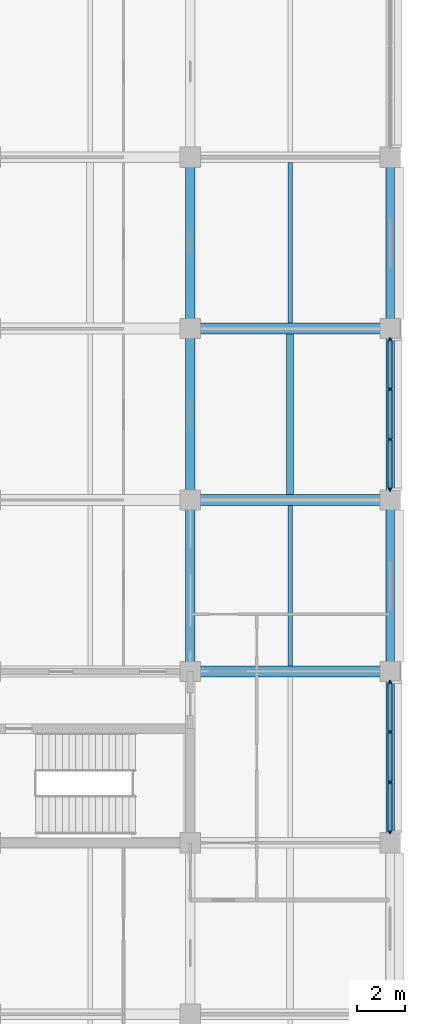
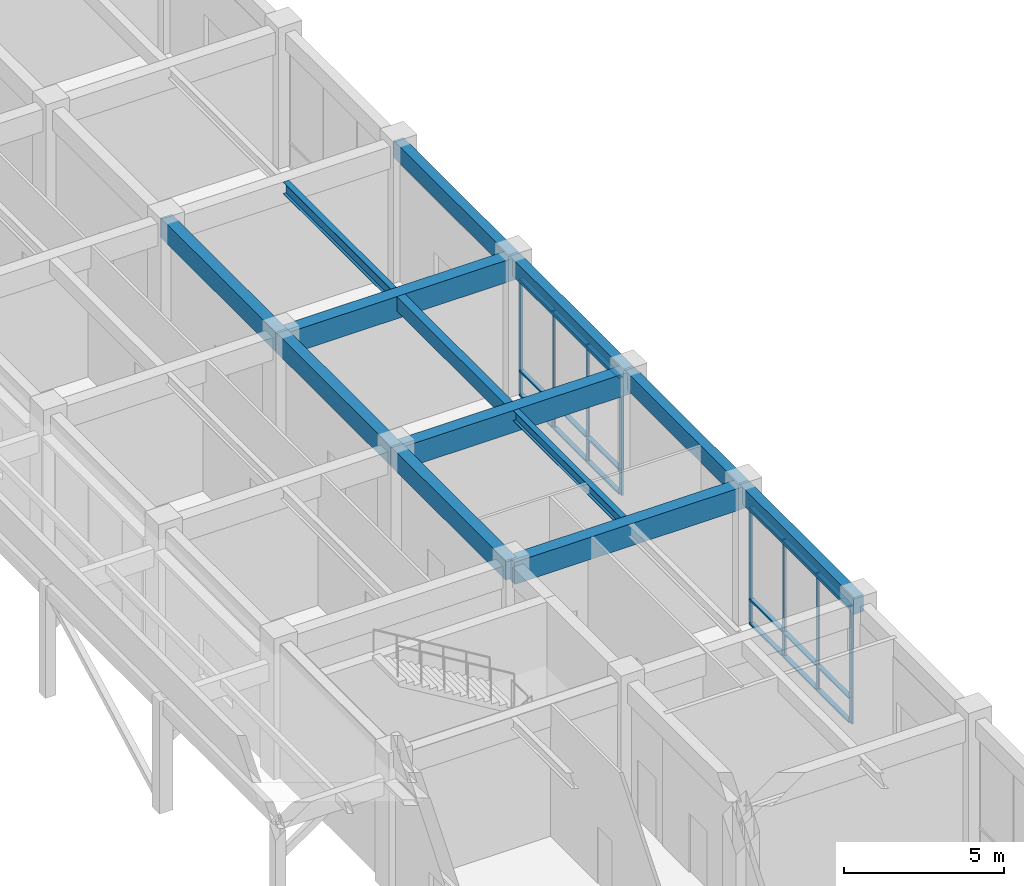
# One storey, part 24 of 68: 26 members, 13 beams, 2 elements without a shape of their own.
"""IFC4 building model written with IfcOpenShell, lengths in metres."""

from ifc_helpers import new_model, si_unit, direction, frame, origin, origin_2d, place, context, subcontext, project, spatial, rectangle, i_section, extrude, material, layer, layer_set, material_profile, profile_set, type_object, element, aggregate, save


model = new_model("IFC4")

# Units and contexts
model_context = context("Model", 3, precision=1e-05, world=origin(), true_north=direction((0.0, 1.0)))
body_context = subcontext(model_context, "Body", "Model", "MODEL_VIEW")
ifc_project = project(units=[si_unit("LENGTHUNIT", "METRE"), si_unit("AREAUNIT", "SQUARE_METRE"), si_unit("VOLUMEUNIT", "CUBIC_METRE"), si_unit("PLANEANGLEUNIT", "RADIAN"), si_unit("MASSUNIT", "GRAM", prefix="KILO")], contexts=[model_context])

# Site, building, storey
site_placement = place(None, origin())
site = spatial("IfcSite", under=ifc_project, at=site_placement, CompositionType="ELEMENT")
building_placement = place(site_placement, origin())
building = spatial("IfcBuilding", under=site, at=building_placement, Name="Chengyuan Square Courthouse", CompositionType="ELEMENT")
storey_placement = place(building_placement, frame((0.0, 0.0, 5.39990234375)))
storey = spatial("IfcBuildingStorey", under=building, at=storey_placement, Name="L02", CompositionType="ELEMENT", Elevation=5.39990234375)

# Beams
ifc_material_1 = material(Name="Concrete C40", Category="concrete")
ifc_material_profile_1 = material_profile(ifc_material_1, rectangle(XDim=0.449951171875, YDim=0.85009765625, at=origin_2d()), Name="RC-BM-450x850")
ifc_profile_set_1 = profile_set([ifc_material_profile_1], Name="Concrete C40")
beam_type_1 = type_object("IfcBeamType", Name="BM-01", PredefinedType="USERDEFINED", material=ifc_profile_set_1)
for number, where, z_axis, x_axis, name in (
    (1, (159.60009765625, 43.199951171875, 4.695068359375), (1.0, 0.0, 0.0), (0.0, 1.0, 0.0), "Girder BM-L02-2098"),
    (2, (159.60009765625, 50.39990234375, 4.695068359375), (1.0, 0.0, 0.0), (0.0, 1.0, 0.0), "Girder BM-L02-2102"),
    (3, (159.60009765625, 57.60009765625, 4.695068359375), (1.0, 0.0, 0.0), (0.0, 1.0, 0.0), "Girder BM-L02-2106"),
):
    element("IfcBeam", number, at=place(storey_placement, frame(where, z_axis=z_axis, x_axis=x_axis)), inside=storey, type_object=beam_type_1, Name=name, ObjectType="GIRDER", PredefinedType="USERDEFINED", context=body_context, shape_type="SweptSolid", body=[
        extrude(rectangle(XDim=0.449951171875, YDim=0.85009765625, at=origin_2d()), origin(), (0.0, 0.0, 1.0), 8.39990234375),
    ])
ifc_material_profile_2 = material_profile(ifc_material_1, rectangle(XDim=0.39990234375, YDim=0.75, at=origin_2d()), Name="RC-BM-400x750")
ifc_profile_set_2 = profile_set([ifc_material_profile_2], Name="Concrete C40")
beam_type_2 = type_object("IfcBeamType", Name="BM-02", PredefinedType="USERDEFINED", material=ifc_profile_set_2)
beam_1_placement = place(storey_placement, frame((159.60009765625, 43.199951171875, 4.7451171875), z_axis=(0.0, 1.0, 0.0), x_axis=(-1.0, 0.0, 0.0)))
element("IfcBeam", 4, at=beam_1_placement, inside=storey, type_object=beam_type_2, Name="Girder BM-L02-2366", ObjectType="GIRDER", PredefinedType="USERDEFINED", context=body_context, shape_type="SweptSolid", body=[
    extrude(rectangle(XDim=0.39990234375, YDim=0.75, at=origin_2d()), origin(), (0.0, 0.0, 1.0), 7.199951171875),
])
beam_2_placement = place(storey_placement, frame((159.60009765625, 50.39990234375, 4.7451171875), z_axis=(0.0, 1.0, 0.0), x_axis=(-1.0, 0.0, 0.0)))
element("IfcBeam", 5, at=beam_2_placement, inside=storey, type_object=beam_type_2, Name="Girder BM-L02-2367", ObjectType="GIRDER", PredefinedType="USERDEFINED", context=body_context, shape_type="SweptSolid", body=[
    extrude(rectangle(XDim=0.39990234375, YDim=0.75, at=origin_2d()), origin(), (0.0, 0.0, 1.0), 7.2001953125),
])
beam_3_placement = place(storey_placement, frame((159.60009765625, 57.60009765625, 4.7451171875), z_axis=(0.0, 1.0, 0.0), x_axis=(-1.0, 0.0, 0.0)))
element("IfcBeam", 6, at=beam_3_placement, inside=storey, type_object=beam_type_2, Name="Girder BM-L02-2368", ObjectType="GIRDER", PredefinedType="USERDEFINED", context=body_context, shape_type="SweptSolid", body=[
    extrude(rectangle(XDim=0.39990234375, YDim=0.75, at=origin_2d()), origin(), (0.0, 0.0, 1.0), 7.199951171875),
])
ifc_material_profile_3 = material_profile(ifc_material_1, rectangle(XDim=0.35009765625, YDim=0.64990234375, at=origin_2d()), Name="RC-BM-350x650")
ifc_profile_set_3 = profile_set([ifc_material_profile_3], Name="Concrete C40")
beam_type_3 = type_object("IfcBeamType", Name="BM-03", PredefinedType="SPANDREL", material=ifc_profile_set_3)
for number, where, z_axis, x_axis, name in (
    (7, (168.0, 36.0, 4.795166015625), (0.0, 1.0, 0.0), (-1.0, 0.0, 0.0), "Girder BM-L02-2380"),
    (8, (168.0, 43.199951171875, 4.795166015625), (0.0, 1.0, 0.0), (-1.0, 0.0, 0.0), "Girder BM-L02-2381"),
):
    element("IfcBeam", number, at=place(storey_placement, frame(where, z_axis=z_axis, x_axis=x_axis)), inside=storey, type_object=beam_type_3, Name=name, PredefinedType="SPANDREL", context=body_context, shape_type="SweptSolid", body=[
        extrude(rectangle(XDim=0.35009765625, YDim=0.64990234375, at=origin_2d()), origin(), (0.0, 0.0, 1.0), 7.199951171875),
    ])
beam_4_placement = place(storey_placement, frame((168.0, 50.39990234375, 4.795166015625), z_axis=(0.0, 1.0, 0.0), x_axis=(-1.0, 0.0, 0.0)))
element("IfcBeam", 9, at=beam_4_placement, inside=storey, type_object=beam_type_3, Name="Girder BM-L02-2382", PredefinedType="SPANDREL", context=body_context, shape_type="SweptSolid", body=[
    extrude(rectangle(XDim=0.35009765625, YDim=0.64990234375, at=origin_2d()), origin(), (0.0, 0.0, 1.0), 7.2001953125),
])
beam_5_placement = place(storey_placement, frame((168.0, 57.60009765625, 4.795166015625), z_axis=(0.0, 1.0, 0.0), x_axis=(-1.0, 0.0, 0.0)))
element("IfcBeam", 10, at=beam_5_placement, inside=storey, type_object=beam_type_3, Name="Girder BM-L02-2383", PredefinedType="SPANDREL", context=body_context, shape_type="SweptSolid", body=[
    extrude(rectangle(XDim=0.35009765625, YDim=0.64990234375, at=origin_2d()), origin(), (0.0, 0.0, 1.0), 7.199951171875),
])
ifc_material_profile_4 = material_profile(ifc_material_1, rectangle(XDim=0.300048828125, YDim=0.550048828125, at=origin_2d()), Name="RC-BM-300x550")
ifc_profile_set_4 = profile_set([ifc_material_profile_4], Name="Concrete C40")
beam_type_4 = type_object("IfcBeamType", Name="BM-04", PredefinedType="BEAM", material=ifc_profile_set_4)
beam_6_placement = place(storey_placement, frame((163.800048828125, 50.625, 4.84521484375), z_axis=(0.0, 1.0, 0.0), x_axis=(-1.0, 0.0, 0.0)))
element("IfcBeam", 11, at=beam_6_placement, inside=storey, type_object=beam_type_4, Name="Secondary Floor Beam SBM-L02-2500", PredefinedType="BEAM", context=body_context, shape_type="SweptSolid", body=[
    extrude(rectangle(XDim=0.300048828125, YDim=0.550048828125, at=origin_2d()), origin(), (0.0, 0.0, 1.0), 6.75),
])
ifc_material_2 = material(Name="Steel Q355B", Category="steel")
ifc_material_profile_5 = material_profile(ifc_material_2, i_section(OverallWidth=0.199951171875, OverallDepth=0.449951171875, WebThickness=0.009033203125, FlangeThickness=0.013916015625, at=origin_2d()), Name="HN 450x200x9x14")
ifc_profile_set_5 = profile_set([ifc_material_profile_5], Name="Steel Q355B")
beam_type_5 = type_object("IfcBeamType", Name="BM-06", PredefinedType="BEAM", material=ifc_profile_set_5)
beam_7_placement = place(storey_placement, frame((163.800048828125, 57.824951171875, 4.89501953125), z_axis=(0.0, 1.0, 0.0), x_axis=(-1.0, 0.0, 0.0)))
element("IfcBeam", 12, at=beam_7_placement, inside=storey, type_object=beam_type_5, Name="Secondary Floor Beam SBM-L02-2501", PredefinedType="BEAM", context=body_context, shape_type="SweptSolid", body=[
    extrude(i_section(OverallWidth=0.199951171875, OverallDepth=0.449951171875, WebThickness=0.009033203125, FlangeThickness=0.013916015625, at=origin_2d()), origin(), (0.0, 0.0, 1.0), 6.75),
])
ifc_material_profile_6 = material_profile(ifc_material_2, i_section(OverallWidth=0.199951171875, OverallDepth=0.39990234375, WebThickness=0.008056640625, FlangeThickness=0.012939453125, at=origin_2d()), Name="HN 400x200x8x13")
ifc_profile_set_6 = profile_set([ifc_material_profile_6], Name="Steel Q355B")
beam_type_6 = type_object("IfcBeamType", Name="BM-07", PredefinedType="BEAM", material=ifc_profile_set_6)
beam_8_placement = place(storey_placement, frame((163.800048828125, 43.425048828125, 4.920166015625), z_axis=(0.0, 1.0, 0.0), x_axis=(-1.0, 0.0, 0.0)))
element("IfcBeam", 13, at=beam_8_placement, inside=storey, type_object=beam_type_6, Name="Secondary Floor Beam SBM-L02-2499", PredefinedType="BEAM", context=body_context, shape_type="SweptSolid", body=[
    extrude(i_section(OverallWidth=0.199951171875, OverallDepth=0.39990234375, WebThickness=0.008056640625, FlangeThickness=0.012939453125, at=origin_2d()), origin(), (0.0, 0.0, 1.0), 6.75),
])

# Curtain wall, members
ifc_material_3 = material(Name="Unitised Aluminium and Triple Low-E Glass", Category="aluminium")
ifc_layer = layer(ifc_material_3, 0.159912109375)
ifc_layer_set = layer_set([ifc_layer], Name="Unitised Aluminium and Triple Low-E Glass")
curtain_wall_type = type_object("IfcCurtainWallType", Name="CW-17", PredefinedType="USERDEFINED", material=ifc_layer_set)
curtain_wall_1_placement = place(storey_placement, origin())
curtain_wall_1 = element("IfcCurtainWall", 14, at=curtain_wall_1_placement, inside=storey, type_object=curtain_wall_type, Name="Unitised Curtain Wall CW-L02-085", ObjectType="UNITISED CURTAIN WALL", PredefinedType="USERDEFINED")
ifc_material_4 = material(Name="Aluminium 6063-T6 Frame", Category="aluminium")
ifc_material_profile_7 = material_profile(ifc_material_4, rectangle(XDim=0.06005859375, YDim=0.159912109375, at=origin_2d()), Name="CW-MUL-60x160")
ifc_profile_set_7 = profile_set([ifc_material_profile_7], Name="Aluminium 6063-T6 Frame")
member_type_1 = type_object("IfcMemberType", Name="CWM-01", PredefinedType="MULLION", material=ifc_profile_set_7)
member_1_placement = place(storey_placement, frame((168.0, 36.455078125, 0.0), z_axis=(0.0, 0.0, 1.0), x_axis=(-1.0, 0.0, 0.0)))
member_1 = element("IfcMember", 15, at=member_1_placement, type_object=member_type_1, Name="CW-17 mullion 1", PredefinedType="MULLION", context=body_context, shape_type="SweptSolid", body=[
    extrude(rectangle(XDim=0.06005859375, YDim=0.159912109375, at=origin_2d()), origin(), (0.0, 0.0, 1.0), 4.47021484375),
])
member_2_placement = place(storey_placement, frame((168.0, 38.541748046875, 0.0), z_axis=(0.0, 0.0, 1.0), x_axis=(-1.0, 0.0, 0.0)))
member_2 = element("IfcMember", 16, at=member_2_placement, type_object=member_type_1, Name="CW-17 mullion 2", PredefinedType="MULLION", context=body_context, shape_type="SweptSolid", body=[
    extrude(rectangle(XDim=0.06005859375, YDim=0.159912109375, at=origin_2d()), origin(), (0.0, 0.0, 1.0), 4.47021484375),
])
member_3_placement = place(storey_placement, frame((168.0, 40.658447265625, 0.0), z_axis=(0.0, 0.0, 1.0), x_axis=(-1.0, 0.0, 0.0)))
member_3 = element("IfcMember", 17, at=member_3_placement, type_object=member_type_1, Name="CW-17 mullion 3", PredefinedType="MULLION", context=body_context, shape_type="SweptSolid", body=[
    extrude(rectangle(XDim=0.06005859375, YDim=0.159912109375, at=origin_2d()), origin(), (0.0, 0.0, 1.0), 4.47021484375),
])
member_4_placement = place(storey_placement, frame((168.0, 42.7451171875, 0.0), z_axis=(0.0, 0.0, 1.0), x_axis=(-1.0, 0.0, 0.0)))
member_4 = element("IfcMember", 18, at=member_4_placement, type_object=member_type_1, Name="CW-17 mullion 4", PredefinedType="MULLION", context=body_context, shape_type="SweptSolid", body=[
    extrude(rectangle(XDim=0.06005859375, YDim=0.159912109375, at=origin_2d()), origin(), (0.0, 0.0, 1.0), 4.47021484375),
])

curtain_wall_2_placement = place(storey_placement, origin())
curtain_wall_2 = element("IfcCurtainWall", 19, at=curtain_wall_2_placement, inside=storey, type_object=curtain_wall_type, Name="Unitised Curtain Wall CW-L02-086", ObjectType="UNITISED CURTAIN WALL", PredefinedType="USERDEFINED")
member_5_placement = place(storey_placement, frame((168.0, 50.85498046875, 0.0), z_axis=(0.0, 0.0, 1.0), x_axis=(-1.0, 0.0, 0.0)))
member_5 = element("IfcMember", 20, at=member_5_placement, type_object=member_type_1, Name="CW-17 mullion 1", PredefinedType="MULLION", context=body_context, shape_type="SweptSolid", body=[
    extrude(rectangle(XDim=0.06005859375, YDim=0.159912109375, at=origin_2d()), origin(), (0.0, 0.0, 1.0), 4.47021484375),
])
member_6_placement = place(storey_placement, frame((168.0, 52.941650390625, 0.0), z_axis=(0.0, 0.0, 1.0), x_axis=(-1.0, 0.0, 0.0)))
member_6 = element("IfcMember", 21, at=member_6_placement, type_object=member_type_1, Name="CW-17 mullion 2", PredefinedType="MULLION", context=body_context, shape_type="SweptSolid", body=[
    extrude(rectangle(XDim=0.06005859375, YDim=0.159912109375, at=origin_2d()), origin(), (0.0, 0.0, 1.0), 4.47021484375),
])
member_7_placement = place(storey_placement, frame((168.0, 55.058349609375, 0.0), z_axis=(0.0, 0.0, 1.0), x_axis=(-1.0, 0.0, 0.0)))
member_7 = element("IfcMember", 22, at=member_7_placement, type_object=member_type_1, Name="CW-17 mullion 3", PredefinedType="MULLION", context=body_context, shape_type="SweptSolid", body=[
    extrude(rectangle(XDim=0.06005859375, YDim=0.159912109375, at=origin_2d()), origin(), (0.0, 0.0, 1.0), 4.47021484375),
])
member_8_placement = place(storey_placement, frame((168.0, 57.14501953125, 0.0), z_axis=(0.0, 0.0, 1.0), x_axis=(-1.0, 0.0, 0.0)))
member_8 = element("IfcMember", 23, at=member_8_placement, type_object=member_type_1, Name="CW-17 mullion 4", PredefinedType="MULLION", context=body_context, shape_type="SweptSolid", body=[
    extrude(rectangle(XDim=0.06005859375, YDim=0.159912109375, at=origin_2d()), origin(), (0.0, 0.0, 1.0), 4.47021484375),
])

# Member
ifc_material_profile_8 = material_profile(ifc_material_4, rectangle(XDim=0.159912109375, YDim=0.06005859375, at=origin_2d()), Name="CW-TRN-60x120")
ifc_profile_set_8 = profile_set([ifc_material_profile_8], Name="Aluminium 6063-T6 Frame")
member_type_2 = type_object("IfcMemberType", Name="CWT-01", PredefinedType="USERDEFINED", material=ifc_profile_set_8)
member_9_placement = place(storey_placement, frame((168.0, 36.485107421875, 0.030029296875), z_axis=(0.0, 1.0, 0.0), x_axis=(-1.0, 0.0, 0.0)))
member_9 = element("IfcMember", 24, at=member_9_placement, type_object=member_type_2, Name="CW-17 transom 1.1", ObjectType="TRANSOM", PredefinedType="USERDEFINED", context=body_context, shape_type="SweptSolid", body=[
    extrude(rectangle(XDim=0.159912109375, YDim=0.06005859375, at=origin_2d()), origin(), (0.0, 0.0, 1.0), 2.026611328125),
])

member_10_placement = place(storey_placement, frame((168.0, 36.485107421875, 0.9501953125), z_axis=(0.0, 1.0, 0.0), x_axis=(-1.0, 0.0, 0.0)))
member_10 = element("IfcMember", 25, at=member_10_placement, type_object=member_type_2, Name="CW-17 transom 1.2", ObjectType="TRANSOM", PredefinedType="USERDEFINED", context=body_context, shape_type="SweptSolid", body=[
    extrude(rectangle(XDim=0.159912109375, YDim=0.06005859375, at=origin_2d()), origin(), (0.0, 0.0, 1.0), 2.026611328125),
])

member_11_placement = place(storey_placement, frame((168.0, 36.485107421875, 4.440185546875), z_axis=(0.0, 1.0, 0.0), x_axis=(-1.0, 0.0, 0.0)))
member_11 = element("IfcMember", 26, at=member_11_placement, type_object=member_type_2, Name="CW-17 transom 1.3", ObjectType="TRANSOM", PredefinedType="USERDEFINED", context=body_context, shape_type="SweptSolid", body=[
    extrude(rectangle(XDim=0.159912109375, YDim=0.06005859375, at=origin_2d()), origin(), (0.0, 0.0, 1.0), 2.026611328125),
])

member_12_placement = place(storey_placement, frame((168.0, 38.57177734375, 0.030029296875), z_axis=(0.0, 1.0, 0.0), x_axis=(-1.0, 0.0, 0.0)))
member_12 = element("IfcMember", 27, at=member_12_placement, type_object=member_type_2, Name="CW-17 transom 2.1", ObjectType="TRANSOM", PredefinedType="USERDEFINED", context=body_context, shape_type="SweptSolid", body=[
    extrude(rectangle(XDim=0.159912109375, YDim=0.06005859375, at=origin_2d()), origin(), (0.0, 0.0, 1.0), 2.056640625),
])

member_13_placement = place(storey_placement, frame((168.0, 38.57177734375, 0.9501953125), z_axis=(0.0, 1.0, 0.0), x_axis=(-1.0, 0.0, 0.0)))
member_13 = element("IfcMember", 28, at=member_13_placement, type_object=member_type_2, Name="CW-17 transom 2.2", ObjectType="TRANSOM", PredefinedType="USERDEFINED", context=body_context, shape_type="SweptSolid", body=[
    extrude(rectangle(XDim=0.159912109375, YDim=0.06005859375, at=origin_2d()), origin(), (0.0, 0.0, 1.0), 2.056640625),
])

member_14_placement = place(storey_placement, frame((168.0, 38.57177734375, 4.440185546875), z_axis=(0.0, 1.0, 0.0), x_axis=(-1.0, 0.0, 0.0)))
member_14 = element("IfcMember", 29, at=member_14_placement, type_object=member_type_2, Name="CW-17 transom 2.3", ObjectType="TRANSOM", PredefinedType="USERDEFINED", context=body_context, shape_type="SweptSolid", body=[
    extrude(rectangle(XDim=0.159912109375, YDim=0.06005859375, at=origin_2d()), origin(), (0.0, 0.0, 1.0), 2.056640625),
])

member_15_placement = place(storey_placement, frame((168.0, 40.688232421875, 0.030029296875), z_axis=(0.0, 1.0, 0.0), x_axis=(-1.0, 0.0, 0.0)))
member_15 = element("IfcMember", 30, at=member_15_placement, type_object=member_type_2, Name="CW-17 transom 3.1", ObjectType="TRANSOM", PredefinedType="USERDEFINED", context=body_context, shape_type="SweptSolid", body=[
    extrude(rectangle(XDim=0.159912109375, YDim=0.06005859375, at=origin_2d()), origin(), (0.0, 0.0, 1.0), 2.02685546875),
])

member_16_placement = place(storey_placement, frame((168.0, 40.688232421875, 0.9501953125), z_axis=(0.0, 1.0, 0.0), x_axis=(-1.0, 0.0, 0.0)))
member_16 = element("IfcMember", 31, at=member_16_placement, type_object=member_type_2, Name="CW-17 transom 3.2", ObjectType="TRANSOM", PredefinedType="USERDEFINED", context=body_context, shape_type="SweptSolid", body=[
    extrude(rectangle(XDim=0.159912109375, YDim=0.06005859375, at=origin_2d()), origin(), (0.0, 0.0, 1.0), 2.02685546875),
])

member_17_placement = place(storey_placement, frame((168.0, 40.688232421875, 4.440185546875), z_axis=(0.0, 1.0, 0.0), x_axis=(-1.0, 0.0, 0.0)))
member_17 = element("IfcMember", 32, at=member_17_placement, type_object=member_type_2, Name="CW-17 transom 3.3", ObjectType="TRANSOM", PredefinedType="USERDEFINED", context=body_context, shape_type="SweptSolid", body=[
    extrude(rectangle(XDim=0.159912109375, YDim=0.06005859375, at=origin_2d()), origin(), (0.0, 0.0, 1.0), 2.02685546875),
])

aggregate(curtain_wall_1, [member_1, member_2, member_3, member_4, member_9, member_10, member_11, member_12, member_13, member_14, member_15, member_16, member_17])

member_18_placement = place(storey_placement, frame((168.0, 50.885009765625, 0.030029296875), z_axis=(0.0, 1.0, 0.0), x_axis=(-1.0, 0.0, 0.0)))
member_18 = element("IfcMember", 33, at=member_18_placement, type_object=member_type_2, Name="CW-17 transom 1.1", ObjectType="TRANSOM", PredefinedType="USERDEFINED", context=body_context, shape_type="SweptSolid", body=[
    extrude(rectangle(XDim=0.159912109375, YDim=0.06005859375, at=origin_2d()), origin(), (0.0, 0.0, 1.0), 2.026611328125),
])

member_19_placement = place(storey_placement, frame((168.0, 50.885009765625, 0.9501953125), z_axis=(0.0, 1.0, 0.0), x_axis=(-1.0, 0.0, 0.0)))
member_19 = element("IfcMember", 34, at=member_19_placement, type_object=member_type_2, Name="CW-17 transom 1.2", ObjectType="TRANSOM", PredefinedType="USERDEFINED", context=body_context, shape_type="SweptSolid", body=[
    extrude(rectangle(XDim=0.159912109375, YDim=0.06005859375, at=origin_2d()), origin(), (0.0, 0.0, 1.0), 2.026611328125),
])

member_20_placement = place(storey_placement, frame((168.0, 50.885009765625, 4.440185546875), z_axis=(0.0, 1.0, 0.0), x_axis=(-1.0, 0.0, 0.0)))
member_20 = element("IfcMember", 35, at=member_20_placement, type_object=member_type_2, Name="CW-17 transom 1.3", ObjectType="TRANSOM", PredefinedType="USERDEFINED", context=body_context, shape_type="SweptSolid", body=[
    extrude(rectangle(XDim=0.159912109375, YDim=0.06005859375, at=origin_2d()), origin(), (0.0, 0.0, 1.0), 2.026611328125),
])

member_21_placement = place(storey_placement, frame((168.0, 52.9716796875, 0.030029296875), z_axis=(0.0, 1.0, 0.0), x_axis=(-1.0, 0.0, 0.0)))
member_21 = element("IfcMember", 36, at=member_21_placement, type_object=member_type_2, Name="CW-17 transom 2.1", ObjectType="TRANSOM", PredefinedType="USERDEFINED", context=body_context, shape_type="SweptSolid", body=[
    extrude(rectangle(XDim=0.159912109375, YDim=0.06005859375, at=origin_2d()), origin(), (0.0, 0.0, 1.0), 2.056640625),
])

member_22_placement = place(storey_placement, frame((168.0, 52.9716796875, 0.9501953125), z_axis=(0.0, 1.0, 0.0), x_axis=(-1.0, 0.0, 0.0)))
member_22 = element("IfcMember", 37, at=member_22_placement, type_object=member_type_2, Name="CW-17 transom 2.2", ObjectType="TRANSOM", PredefinedType="USERDEFINED", context=body_context, shape_type="SweptSolid", body=[
    extrude(rectangle(XDim=0.159912109375, YDim=0.06005859375, at=origin_2d()), origin(), (0.0, 0.0, 1.0), 2.056640625),
])

member_23_placement = place(storey_placement, frame((168.0, 52.9716796875, 4.440185546875), z_axis=(0.0, 1.0, 0.0), x_axis=(-1.0, 0.0, 0.0)))
member_23 = element("IfcMember", 38, at=member_23_placement, type_object=member_type_2, Name="CW-17 transom 2.3", ObjectType="TRANSOM", PredefinedType="USERDEFINED", context=body_context, shape_type="SweptSolid", body=[
    extrude(rectangle(XDim=0.159912109375, YDim=0.06005859375, at=origin_2d()), origin(), (0.0, 0.0, 1.0), 2.056640625),
])

member_24_placement = place(storey_placement, frame((168.0, 55.08837890625, 0.030029296875), z_axis=(0.0, 1.0, 0.0), x_axis=(-1.0, 0.0, 0.0)))
member_24 = element("IfcMember", 39, at=member_24_placement, type_object=member_type_2, Name="CW-17 transom 3.1", ObjectType="TRANSOM", PredefinedType="USERDEFINED", context=body_context, shape_type="SweptSolid", body=[
    extrude(rectangle(XDim=0.159912109375, YDim=0.06005859375, at=origin_2d()), origin(), (0.0, 0.0, 1.0), 2.026611328125),
])

member_25_placement = place(storey_placement, frame((168.0, 55.08837890625, 0.9501953125), z_axis=(0.0, 1.0, 0.0), x_axis=(-1.0, 0.0, 0.0)))
member_25 = element("IfcMember", 40, at=member_25_placement, type_object=member_type_2, Name="CW-17 transom 3.2", ObjectType="TRANSOM", PredefinedType="USERDEFINED", context=body_context, shape_type="SweptSolid", body=[
    extrude(rectangle(XDim=0.159912109375, YDim=0.06005859375, at=origin_2d()), origin(), (0.0, 0.0, 1.0), 2.026611328125),
])

member_26_placement = place(storey_placement, frame((168.0, 55.08837890625, 4.440185546875), z_axis=(0.0, 1.0, 0.0), x_axis=(-1.0, 0.0, 0.0)))
member_26 = element("IfcMember", 41, at=member_26_placement, type_object=member_type_2, Name="CW-17 transom 3.3", ObjectType="TRANSOM", PredefinedType="USERDEFINED", context=body_context, shape_type="SweptSolid", body=[
    extrude(rectangle(XDim=0.159912109375, YDim=0.06005859375, at=origin_2d()), origin(), (0.0, 0.0, 1.0), 2.026611328125),
])

aggregate(curtain_wall_2, [member_5, member_6, member_7, member_8, member_18, member_19, member_20, member_21, member_22, member_23, member_24, member_25, member_26])

save(model, "model.ifc")
